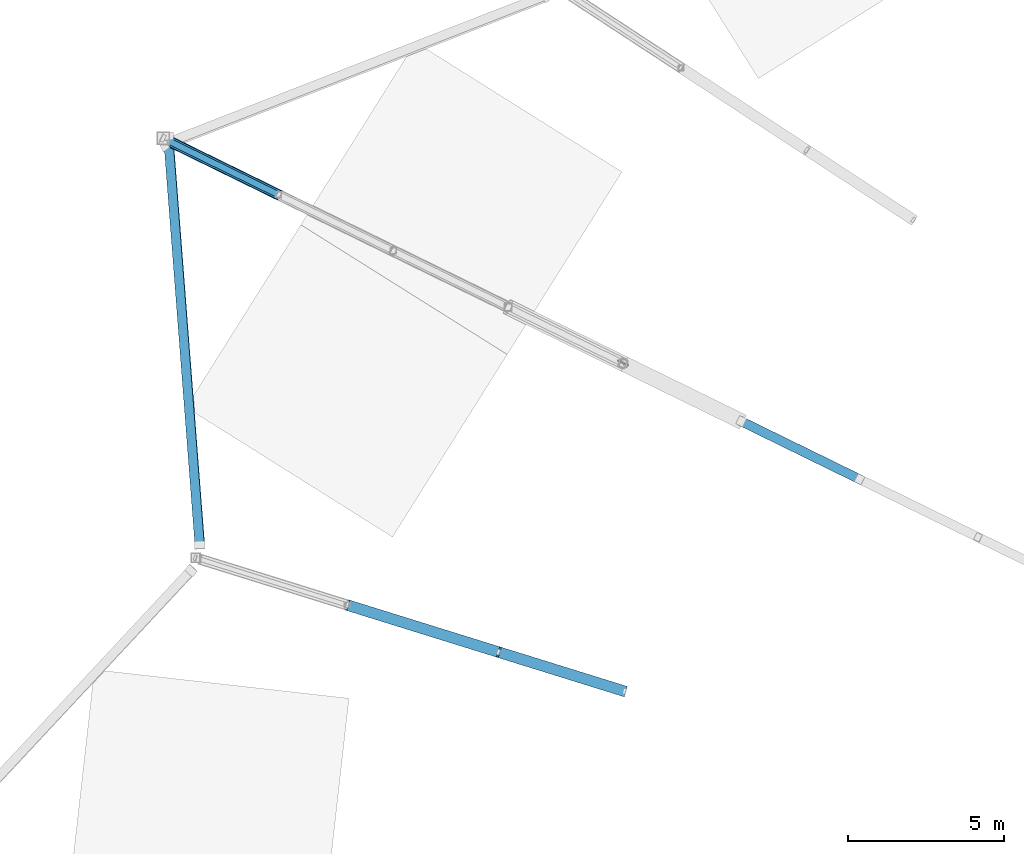
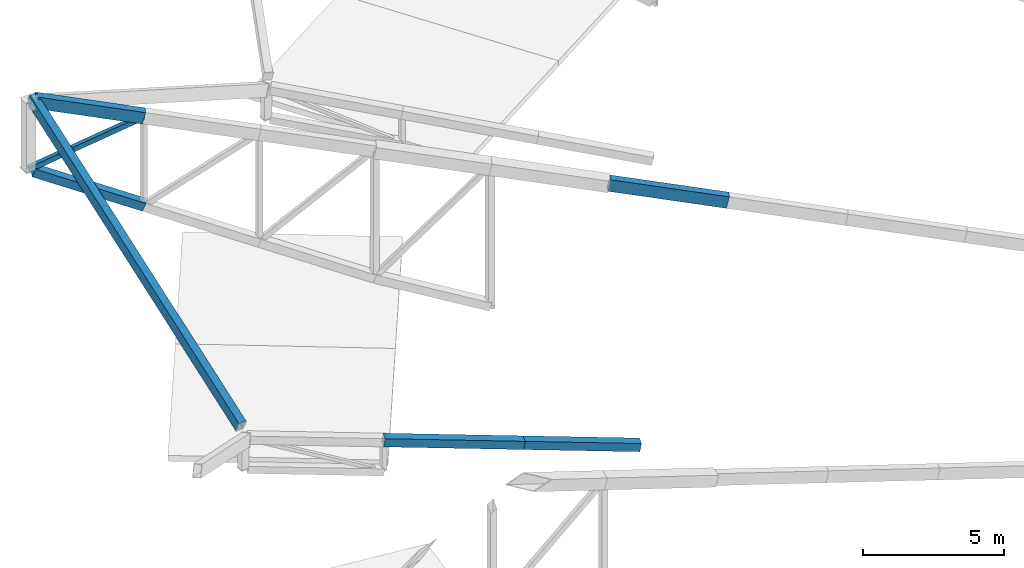
# One storey, part 67 of 188: 6 members, 1 beam.
"""IFC4 building model written with IfcOpenShell, lengths in metres."""

from ifc_helpers import new_model, si_unit, direction, frame, origin, origin_2d, place, context, subcontext, project, spatial, hollow_rectangle, extrude, material, material_profile, profile_set, type_object, element, save


model = new_model("IFC4")

# Units and contexts
model_context = context("Model", 3, precision=1e-05, world=origin(), true_north=direction((0.0, 1.0)))
body_context = subcontext(model_context, "Body", "Model", "MODEL_VIEW")
ifc_project = project(units=[si_unit("LENGTHUNIT", "METRE"), si_unit("AREAUNIT", "SQUARE_METRE"), si_unit("VOLUMEUNIT", "CUBIC_METRE"), si_unit("PLANEANGLEUNIT", "RADIAN"), si_unit("MASSUNIT", "GRAM", prefix="KILO")], contexts=[model_context])

# Site, building, storey
site_placement = place(None, origin())
site = spatial("IfcSite", under=ifc_project, at=site_placement, CompositionType="ELEMENT")
building_placement = place(site_placement, origin())
building = spatial("IfcBuilding", under=site, at=building_placement, Name="Meseta Stadium", CompositionType="ELEMENT")
storey_placement = place(building_placement, frame((0.0, 0.0, 30.0)))
storey = spatial("IfcBuildingStorey", under=building, at=storey_placement, Name="ROOF", CompositionType="ELEMENT", Elevation=30.0)

# Beam
ifc_material_1 = material(Name="Steel S355", Category="steel")
ifc_material_profile_1 = material_profile(ifc_material_1, hollow_rectangle(XDim=0.300048828125, YDim=0.5, WallThickness=0.01611328125, at=origin_2d()), Name="RHS 500x300x16")
ifc_profile_set_1 = profile_set([ifc_material_profile_1], Name="Steel S355")
beam_type = type_object("IfcBeamType", Name="RHS 500x300x16 rim ring beam", PredefinedType="BEAM", material=ifc_profile_set_1)
beam_placement = place(storey_placement, frame((-92.74365234375, 79.527587890625, 10.41015625), z_axis=(0.068685754258, -0.889953064978, -0.450850096261), x_axis=(0.997637943348, 0.061677231846, 0.030239924994)))
element("IfcBeam", 1, at=beam_placement, inside=storey, type_object=beam_type, Name="RIM RING BEAM 27", PredefinedType="BEAM", context=body_context, shape_type="SweptSolid", body=[
    extrude(hollow_rectangle(XDim=0.300048828125, YDim=0.5, WallThickness=0.01611328125, at=origin_2d()), origin(), (0.0, 0.0, 1.0), 14.6728515625),
])

# Members
ifc_material_2 = material(Name="Steel S355", Category="steel")
ifc_material_profile_2 = material_profile(ifc_material_2, hollow_rectangle(XDim=0.300048828125, YDim=0.5, WallThickness=0.01611328125, at=origin_2d()), Name="RHS 500x300x16")
ifc_profile_set_2 = profile_set([ifc_material_profile_2], Name="Steel S355")
member_type_1 = type_object("IfcMemberType", Name="RHS 500x300x16 top chord", PredefinedType="CHORD", material=ifc_profile_set_2)
member_1_placement = place(storey_placement, frame((-70.622314453125, 68.562744140625, 4.88037109375), z_axis=(-0.876466386721, 0.429166299705, 0.218226854779), x_axis=(-0.439765497661, -0.898112636069, 0.0)))
element("IfcMember", 2, at=member_1_placement, inside=storey, type_object=member_type_1, Name="ROOF TRUSS RT-26 top chord", PredefinedType="CHORD", context=body_context, shape_type="SweptSolid", body=[
    extrude(hollow_rectangle(XDim=0.300048828125, YDim=0.5, WallThickness=0.01611328125, at=origin_2d()), origin(), (0.0, 0.0, 1.0), 4.32177734375),
])
member_2_placement = place(storey_placement, frame((-89.23095703125, 77.673828125, 9.513916015625), z_axis=(-0.876465114648, 0.429159356242, 0.218245617952), x_axis=(-0.439760273495, -0.89811519409, 0.0)))
element("IfcMember", 3, at=member_2_placement, inside=storey, type_object=member_type_1, Name="ROOF TRUSS RT-26 top chord", PredefinedType="CHORD", context=body_context, shape_type="SweptSolid", body=[
    extrude(hollow_rectangle(XDim=0.300048828125, YDim=0.5, WallThickness=0.01611328125, at=origin_2d()), origin(), (0.0, 0.0, 1.0), 3.995849609375),
])
ifc_material_3 = material(Name="Steel S355", Category="steel")
ifc_material_profile_3 = material_profile(ifc_material_3, hollow_rectangle(XDim=0.199951171875, YDim=0.199951171875, WallThickness=0.008056640625, at=origin_2d()), Name="SHS 200x200x8")
ifc_profile_set_3 = profile_set([ifc_material_profile_3], Name="Steel S355")
member_type_2 = type_object("IfcMemberType", Name="SHS 200x200x8 diagonal", PredefinedType="BRACE", material=ifc_profile_set_3)
member_3_placement = place(storey_placement, frame((-89.23095703125, 77.673828125, 9.513916015625), z_axis=(-0.800386278462, 0.391930504543, -0.453621301151), x_axis=(-0.439781086195, -0.898105002895, 0.0)))
element("IfcMember", 4, at=member_3_placement, inside=storey, type_object=member_type_2, Name="ROOF TRUSS RT-26 diagonal", PredefinedType="BRACE", context=body_context, shape_type="SweptSolid", body=[
    extrude(hollow_rectangle(XDim=0.199951171875, YDim=0.199951171875, WallThickness=0.008056640625, at=origin_2d()), origin(), (0.0, 0.0, 1.0), 4.5947265625),
])
ifc_material_4 = material(Name="Steel S355", Category="steel")
ifc_material_profile_4 = material_profile(ifc_material_4, hollow_rectangle(XDim=0.35009765625, YDim=0.35009765625, WallThickness=0.010009765625, at=origin_2d()), Name="SHS 350x350x10")
ifc_profile_set_4 = profile_set([ifc_material_profile_4], Name="Steel S355")
member_type_3 = type_object("IfcMemberType", Name="SHS 350x350x10 bottom chord", PredefinedType="CHORD", material=ifc_profile_set_4)
member_4_placement = place(storey_placement, frame((-89.23095703125, 77.673828125, 5.682373046875), z_axis=(-0.826055007262, 0.404501113934, 0.392443593149), x_axis=(-0.439782165892, -0.898104474192, 0.0)))
element("IfcMember", 5, at=member_4_placement, inside=storey, type_object=member_type_3, Name="ROOF TRUSS RT-26 bottom chord", PredefinedType="CHORD", context=body_context, shape_type="SweptSolid", body=[
    extrude(hollow_rectangle(XDim=0.35009765625, YDim=0.35009765625, WallThickness=0.010009765625, at=origin_2d()), origin(), (0.0, 0.0, 1.0), 4.252197265625),
])
ifc_material_5 = material(Name="Steel S355", Category="steel")
ifc_material_profile_5 = material_profile(ifc_material_5, hollow_rectangle(XDim=0.35009765625, YDim=0.35009765625, WallThickness=0.010009765625, at=origin_2d()), Name="SHS 350x350x10")
ifc_profile_set_5 = profile_set([ifc_material_profile_5], Name="Steel S355")
member_type_4 = type_object("IfcMemberType", Name="SHS 350x350x10 top chord", PredefinedType="CHORD", material=ifc_profile_set_5)
member_5_placement = place(storey_placement, frame((-78.137451171875, 61.780029296875, 1.04931640625), z_axis=(-0.940322919672, 0.292391800443, 0.174068497362), x_axis=(-0.296924788831, -0.954900869084, 0.0)))
element("IfcMember", 6, at=member_5_placement, inside=storey, type_object=member_type_4, Name="ROOF TRUSS RT-27 top chord", PredefinedType="CHORD", context=body_context, shape_type="SweptSolid", body=[
    extrude(hollow_rectangle(XDim=0.35009765625, YDim=0.35009765625, WallThickness=0.010009765625, at=origin_2d()), origin(), (0.0, 0.0, 1.0), 4.28759765625),
])
member_6_placement = place(storey_placement, frame((-82.169189453125, 63.03369140625, 1.795654296875), z_axis=(-0.94030156061, 0.292457301169, 0.174073840964), x_axis=(-0.296991589907, -0.954880094842, 0.0)))
element("IfcMember", 7, at=member_6_placement, inside=storey, type_object=member_type_4, Name="ROOF TRUSS RT-27 top chord", PredefinedType="CHORD", context=body_context, shape_type="SweptSolid", body=[
    extrude(hollow_rectangle(XDim=0.35009765625, YDim=0.35009765625, WallThickness=0.010009765625, at=origin_2d()), origin(), (0.0, 0.0, 1.0), 5.159912109375),
])

save(model, "model.ifc")
